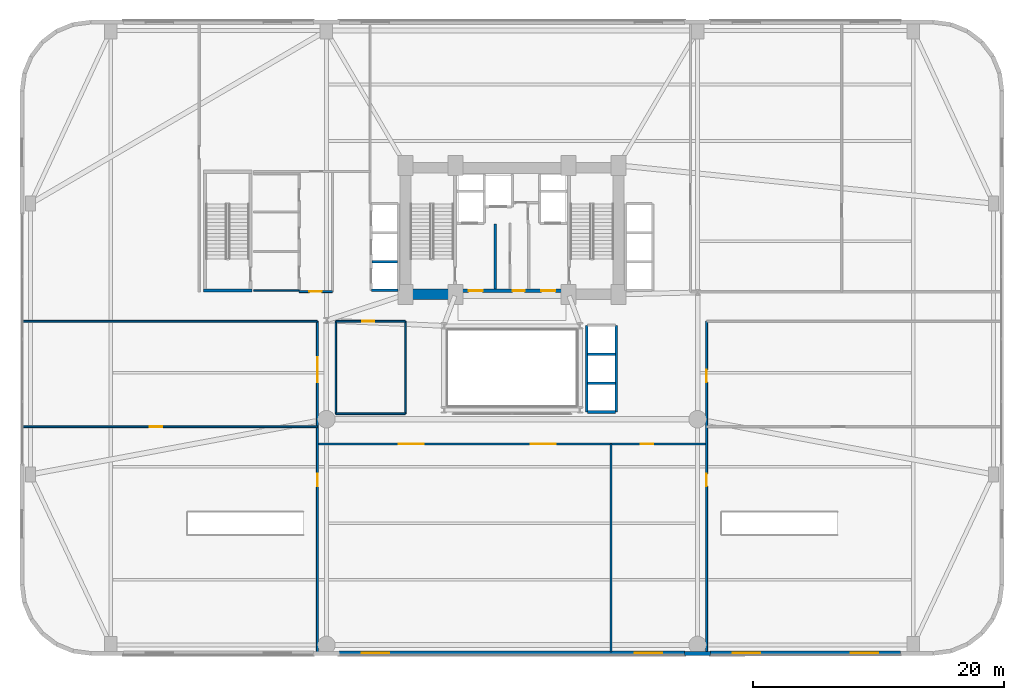
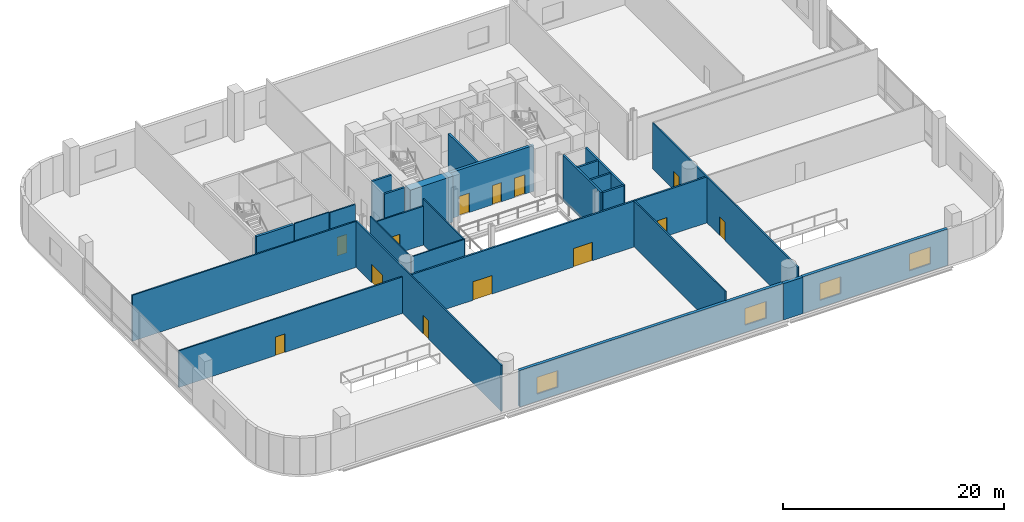
# One storey, part 22 of 31: 26 walls, 13 doors, 4 windows, 17 openings.
"""IFC4 building model written with IfcOpenShell, lengths in metres."""

import ifcopenshell
import ifcopenshell.guid

model = None  # the IFC model being written
_history = None  # IfcOwnerHistory: only IFC2X3 demands one
_inside = {}  # id of a spatial element -> (the spatial element, [elements in it])
_under = {}  # id of a project, library or spatial element -> (it, [spatial elements below it])
_declared = {}  # id of a project -> (the project, [libraries it declares])
_typed = {}  # id of a type object -> (the type object, [elements of that type])
_made_of = {}  # id of a material, layer set ... -> (it, [elements and type objects made of it])


def new_model(schema):
    """Start an empty IFC model of exactly this schema.

    Asked for "IFC4X3", IfcOpenShell would pick the latest addendum, in which some entities
    have other attributes; the version numbers below select the first issue.
    IFC2X3 requires an IfcOwnerHistory on every rooted entity: one is made here for all.
    """
    global model, _history
    if schema == "IFC4X3":
        model = ifcopenshell.file(schema_version=(4, 3, 0, 0))
    else:
        model = ifcopenshell.file(schema=schema)
    _inside.clear()
    _under.clear()
    _declared.clear()
    _typed.clear()
    _made_of.clear()
    _history = None
    if model.schema == "IFC2X3":
        org = make("IfcOrganization", Name="unknown")
        user = make(
            "IfcPersonAndOrganization",
            ThePerson=make("IfcPerson", FamilyName="unknown"),
            TheOrganization=org,
        )
        app = make(
            "IfcApplication",
            ApplicationDeveloper=org,
            Version="unknown",
            ApplicationFullName="unknown",
            ApplicationIdentifier="unknown",
        )
        _history = make(
            "IfcOwnerHistory",
            OwningUser=user,
            OwningApplication=app,
            ChangeAction="ADDED",
            CreationDate=0,
        )
    return model


def make(cls, **values):
    """One entity of the class cls with the attributes given. An attribute that is None is left unset."""
    return model.create_entity(
        cls, **{name: value for name, value in values.items() if value is not None}
    )


def rooted(cls, **values):
    """An entity with a GlobalId (a new one), such as an element, a storey or a relation."""
    return make(cls, GlobalId=ifcopenshell.guid.new(), OwnerHistory=_history, **values)


def si_unit(unit_type, name, prefix=None):
    """IfcSIUnit, for example si_unit("LENGTHUNIT", "METRE", prefix="MILLI")."""
    return make("IfcSIUnit", UnitType=unit_type, Prefix=prefix, Name=name)


def assignment(units):
    """IfcUnitAssignment: the units of a project."""
    return None if units is None else make("IfcUnitAssignment", Units=units)


def point(xyz):
    """IfcCartesianPoint."""
    return None if xyz is None else make("IfcCartesianPoint", Coordinates=xyz)


def direction(xyz):
    """IfcDirection."""
    return None if xyz is None else make("IfcDirection", DirectionRatios=xyz)


def frame(location, z_axis=None, x_axis=None):
    """IfcAxis2Placement3D, a coordinate frame: its origin and axes. An axis left out is left unset."""
    return make(
        "IfcAxis2Placement3D",
        Location=point(location),
        Axis=direction(z_axis),
        RefDirection=direction(x_axis),
    )


def frame_2d(location, x_axis=None):
    """IfcAxis2Placement2D, a coordinate frame in the plane: its origin and x axis."""
    return make(
        "IfcAxis2Placement2D", Location=point(location), RefDirection=direction(x_axis)
    )


def origin():
    """The frame at (0, 0, 0) with its axes left unset."""
    return frame((0.0, 0.0, 0.0))


def place(relative_to, where):
    """IfcLocalPlacement: puts the frame where relative to a parent placement (None: the world)."""
    return make(
        "IfcLocalPlacement", PlacementRelTo=relative_to, RelativePlacement=where
    )


def context(
    kind, dimensions, precision=None, world=None, true_north=None, identifier=None
):
    """IfcGeometricRepresentationContext, for example the 3D "Model" context."""
    return make(
        "IfcGeometricRepresentationContext",
        ContextIdentifier=identifier,
        ContextType=kind,
        CoordinateSpaceDimension=dimensions,
        Precision=precision,
        WorldCoordinateSystem=world,
        TrueNorth=true_north,
    )


def subcontext(parent, identifier, kind, view, scale=None):
    """IfcGeometricRepresentationSubContext, for example "Body" below "Model"."""
    return make(
        "IfcGeometricRepresentationSubContext",
        ContextIdentifier=identifier,
        ContextType=kind,
        ParentContext=parent,
        TargetScale=scale,
        TargetView=view,
    )


def project(units=None, contexts=None):
    """IfcProject with its units and contexts."""
    return rooted(
        "IfcProject",
        Name="project",
        RepresentationContexts=contexts,
        UnitsInContext=assignment(units),
    )


def spatial(cls, under=None, at=None, **own):
    """A site, building, storey or space (cls), placed at a placement, below another one or the project."""
    s = rooted(cls, ObjectPlacement=at, **own)
    if under is not None:
        _under.setdefault(under.id(), (under, []))[1].append(s)
    return s


def profile(cls, at=None, kind="AREA", **sizes):
    """A parametric profile (cls). Its sizes go by their IFC names, for example OverallWidth=200.0."""
    return make(cls, ProfileType=kind, Position=at, **sizes)


def rectangle(**sizes):
    """IfcRectangleProfileDef."""
    return profile("IfcRectangleProfileDef", **sizes)


def extrude(swept, where, along, depth):
    """IfcExtrudedAreaSolid: the profile swept, set in the frame where, extruded along a direction by depth."""
    return make(
        "IfcExtrudedAreaSolid",
        SweptArea=swept,
        Position=where,
        ExtrudedDirection=direction(along),
        Depth=depth,
    )


def shape(context_of_items, identifier, shape_type, items):
    """IfcShapeRepresentation: the items that make up one representation, for example the "Body"."""
    return make(
        "IfcShapeRepresentation",
        ContextOfItems=context_of_items,
        RepresentationIdentifier=identifier,
        RepresentationType=shape_type,
        Items=items,
    )


def material(Name=None, Category=None):
    """IfcMaterial."""
    return make("IfcMaterial", Name=Name, Category=Category)


def layer(
    of_material, thickness, ventilated=None, Name=None, Category=None, Priority=None
):
    """IfcMaterialLayer: one layer of a wall or slab, of a material (None: an air gap)."""
    return make(
        "IfcMaterialLayer",
        Material=of_material,
        LayerThickness=thickness,
        IsVentilated=ventilated,
        Name=Name,
        Category=Category,
        Priority=Priority,
    )


def layer_set(layers, Name=None):
    """IfcMaterialLayerSet."""
    return make("IfcMaterialLayerSet", MaterialLayers=layers, LayerSetName=Name)


def made_of(thing, what):
    """Note that an element or type object is made of a material, layer set ...; save() writes the relation."""
    if what is not None:
        _made_of.setdefault(what.id(), (what, []))[1].append(thing)
    return thing


def type_object(cls, material=None, **own):
    """A type object (cls), such as IfcWallType, which elements share."""
    return made_of(rooted(cls, **own), material)


def element(
    cls,
    number,
    at=None,
    inside=None,
    cuts=None,
    type_object=None,
    material=None,
    context=None,
    identifier="Body",
    shape_type=None,
    held_by="IfcProductDefinitionShape",
    body=None,
    shapes=None,
    **own,
):
    """One element of the class cls, such as IfcWall. Its Tag is "e" and its number.

    at: its placement. inside: the storey or other place that contains it. cuts: it is an
    opening in that element (IfcRelVoidsElement). A single representation is given by context,
    identifier, shape_type and body (its items); several are given by shapes. held_by: the class
    of the entity that holds the representations. save() writes the other relations.
    """
    e = rooted(cls, Tag="e%d" % number, ObjectPlacement=at, **own)
    if body is not None:
        shapes = [shape(context, identifier, shape_type, body)]
    if shapes is not None:
        e.Representation = make(held_by, Representations=shapes)
    if inside is not None:
        _inside.setdefault(inside.id(), (inside, []))[1].append(e)
    if cuts is not None:
        rooted(
            "IfcRelVoidsElement", RelatingBuildingElement=cuts, RelatedOpeningElement=e
        )
    if type_object is not None:
        _typed.setdefault(type_object.id(), (type_object, []))[1].append(e)
    return made_of(e, material)


def fill(opening, filler):
    """IfcRelFillsElement: the door or window that sits in an opening."""
    return rooted(
        "IfcRelFillsElement",
        RelatingOpeningElement=opening,
        RelatedBuildingElement=filler,
    )


def aggregate(whole, parts):
    """IfcRelAggregates: a whole, such as a stair, and the parts it consists of."""
    return rooted("IfcRelAggregates", RelatingObject=whole, RelatedObjects=parts)


def save(model, path):
    """Write the relations noted so far, then the file.

    IfcRelAggregates (storeys below a building ...), IfcRelContainedInSpatialStructure (elements
    in a storey), IfcRelDefinesByType, IfcRelAssociatesMaterial and IfcRelDeclares: one each for
    every whole, place, type object, material and project.
    """
    for whole, parts in _under.values():
        aggregate(whole, parts)
    for where, things in _inside.values():
        rooted(
            "IfcRelContainedInSpatialStructure",
            RelatedElements=things,
            RelatingStructure=where,
        )
    for kind, things in _typed.values():
        rooted("IfcRelDefinesByType", RelatedObjects=things, RelatingType=kind)
    for what, things in _made_of.values():
        rooted("IfcRelAssociatesMaterial", RelatedObjects=things, RelatingMaterial=what)
    for by, libraries in _declared.values():
        rooted("IfcRelDeclares", RelatingContext=by, RelatedDefinitions=libraries)
    model.write(path)


model = new_model("IFC4")

# Units and contexts
model_context = context("Model", 3, precision=1e-05, world=origin(), true_north=direction((0.0, 1.0)))
body_context = subcontext(model_context, "Body", "Model", "MODEL_VIEW")
ifc_project = project(units=[si_unit("LENGTHUNIT", "METRE"), si_unit("AREAUNIT", "SQUARE_METRE"), si_unit("VOLUMEUNIT", "CUBIC_METRE"), si_unit("PLANEANGLEUNIT", "RADIAN"), si_unit("MASSUNIT", "GRAM", prefix="KILO")], contexts=[model_context])

# Site, building, storey
site_placement = place(None, origin())
site = spatial("IfcSite", under=ifc_project, at=site_placement, CompositionType="ELEMENT")
building_placement = place(site_placement, origin())
building = spatial("IfcBuilding", under=site, at=building_placement, Name="Varnelok Gate Tower", CompositionType="ELEMENT")
storey_placement = place(building_placement, frame((0.0, 0.0, 16.199951171875)))
storey = spatial("IfcBuildingStorey", under=building, at=storey_placement, Name="L03", CompositionType="ELEMENT", Elevation=16.199951171875)

# Wall, openings, windows
ifc_material_1 = material(Name="Concrete C45/55", Category="concrete")
ifc_layer_1 = layer(ifc_material_1, 0.320068359375)
ifc_layer_set_1 = layer_set([ifc_layer_1], Name="Concrete C45/55")
wall_type_1 = type_object("IfcWallType", Name="EW-POD-320", PredefinedType="SOLIDWALL", material=ifc_layer_set_1)
wall_1_placement = place(storey_placement, frame((53.0, 0.159912109375, 0.0), z_axis=(0.0, 0.0, 1.0), x_axis=(-1.0, 0.0, 0.0)))
wall_1 = element("IfcWall", 1, at=wall_1_placement, inside=storey, type_object=wall_type_1, Name="L03 South Podium Arch Facade Wall 2", PredefinedType="SOLIDWALL", context=body_context, shape_type="SweptSolid", body=[
    extrude(rectangle(XDim=27.60009765625, YDim=0.320068359375, at=frame_2d((13.800048828125, 0.0))), origin(), (0.0, 0.0, 1.0), 4.030029296875),
])
opening_1_placement = place(wall_1_placement, frame((1.800048828125, 0.0, 0.800048828125)))
opening_1 = element("IfcOpeningElement", 2, at=opening_1_placement, cuts=wall_1, Name="Opening WN2", PredefinedType="OPENING", context=body_context, shape_type="SweptSolid", body=[
    extrude(rectangle(XDim=2.199951171875, YDim=1.85009765625, at=frame_2d((1.10009765625, 0.925048828125))), frame((0.0, 0.169921875, 0.0), z_axis=(0.0, -1.0, 0.0), x_axis=(1.0, 0.0, 0.0)), (0.0, 0.0, 1.0), 0.340087890625),
])
opening_2_placement = place(wall_1_placement, frame((23.60009765625, 0.0, 0.800048828125)))
opening_2 = element("IfcOpeningElement", 3, at=opening_2_placement, cuts=wall_1, Name="Opening WN2", PredefinedType="OPENING", context=body_context, shape_type="SweptSolid", body=[
    extrude(rectangle(XDim=2.199951171875, YDim=1.85009765625, at=frame_2d((1.10009765625, 0.925048828125))), frame((0.0, 0.169921875, 0.0), z_axis=(0.0, -1.0, 0.0), x_axis=(1.0, 0.0, 0.0)), (0.0, 0.0, 1.0), 0.340087890625),
])
ifc_material_2 = material(Name="Low-E Laminated Double Glazing IGU", Category="glass")
window_type = type_object("IfcWindowType", Name="WN-POD-2200", PartitioningType="SINGLE_PANEL", PredefinedType="WINDOW", material=ifc_material_2)
window_1_placement = place(opening_1_placement, origin())
window_1 = element("IfcWindow", 4, at=window_1_placement, inside=storey, type_object=window_type, Name="L03 Podium Arch Facade Window S2.1", OverallHeight=1.85009765625, OverallWidth=2.199951171875, PartitioningType="SINGLE_PANEL", PredefinedType="WINDOW", context=body_context, shape_type="SweptSolid", body=[
    extrude(rectangle(XDim=2.199951171875, YDim=1.85009765625, at=frame_2d((1.10009765625, 0.925048828125))), frame((0.0, 0.030029296875, 0.0), z_axis=(0.0, -1.0, 0.0), x_axis=(1.0, 0.0, 0.0)), (0.0, 0.0, 1.0), 0.06005859375),
])
fill(opening_1, window_1)
window_2_placement = place(opening_2_placement, origin())
window_2 = element("IfcWindow", 5, at=window_2_placement, inside=storey, type_object=window_type, Name="L03 Podium Arch Facade Window S2.2", OverallHeight=1.85009765625, OverallWidth=2.199951171875, PartitioningType="SINGLE_PANEL", PredefinedType="WINDOW", context=body_context, shape_type="SweptSolid", body=[
    extrude(rectangle(XDim=2.199951171875, YDim=1.85009765625, at=frame_2d((1.10009765625, 0.925048828125))), frame((0.0, 0.030029296875, 0.0), z_axis=(0.0, -1.0, 0.0), x_axis=(1.0, 0.0, 0.0)), (0.0, 0.0, 1.0), 0.06005859375),
])
fill(opening_2, window_2)

wall_2_placement = place(storey_placement, frame((70.199951171875, 0.159912109375, 0.0), z_axis=(0.0, 0.0, 1.0), x_axis=(-1.0, 0.0, 0.0)))
wall_2 = element("IfcWall", 6, at=wall_2_placement, inside=storey, type_object=wall_type_1, Name="L03 South Podium Arch Facade Wall 3", PredefinedType="SOLIDWALL", context=body_context, shape_type="SweptSolid", body=[
    extrude(rectangle(XDim=15.199951171875, YDim=0.320068359375, at=frame_2d((7.60009765625, 0.0))), origin(), (0.0, 0.0, 1.0), 4.030029296875),
])
opening_3_placement = place(wall_2_placement, frame((1.800048828125, 0.0, 0.800048828125)))
opening_3 = element("IfcOpeningElement", 7, at=opening_3_placement, cuts=wall_2, Name="Opening WN2", PredefinedType="OPENING", context=body_context, shape_type="SweptSolid", body=[
    extrude(rectangle(XDim=2.199951171875, YDim=1.85009765625, at=frame_2d((1.10009765625, 0.925048828125))), frame((0.0, 0.169921875, 0.0), z_axis=(0.0, -1.0, 0.0), x_axis=(1.0, 0.0, 0.0)), (0.0, 0.0, 1.0), 0.340087890625),
])
opening_4_placement = place(wall_2_placement, frame((11.199951171875, 0.0, 0.800048828125)))
opening_4 = element("IfcOpeningElement", 8, at=opening_4_placement, cuts=wall_2, Name="Opening WN2", PredefinedType="OPENING", context=body_context, shape_type="SweptSolid", body=[
    extrude(rectangle(XDim=2.199951171875, YDim=1.85009765625, at=frame_2d((1.10009765625, 0.925048828125))), frame((0.0, 0.169921875, 0.0), z_axis=(0.0, -1.0, 0.0), x_axis=(1.0, 0.0, 0.0)), (0.0, 0.0, 1.0), 0.340087890625),
])
window_3_placement = place(opening_3_placement, origin())
window_3 = element("IfcWindow", 9, at=window_3_placement, inside=storey, type_object=window_type, Name="L03 Podium Arch Facade Window S3.1", OverallHeight=1.85009765625, OverallWidth=2.199951171875, PartitioningType="SINGLE_PANEL", PredefinedType="WINDOW", context=body_context, shape_type="SweptSolid", body=[
    extrude(rectangle(XDim=2.199951171875, YDim=1.85009765625, at=frame_2d((1.10009765625, 0.925048828125))), frame((0.0, 0.030029296875, 0.0), z_axis=(0.0, -1.0, 0.0), x_axis=(1.0, 0.0, 0.0)), (0.0, 0.0, 1.0), 0.06005859375),
])
fill(opening_3, window_3)
window_4_placement = place(opening_4_placement, origin())
window_4 = element("IfcWindow", 10, at=window_4_placement, inside=storey, type_object=window_type, Name="L03 Podium Arch Facade Window S3.2", OverallHeight=1.85009765625, OverallWidth=2.199951171875, PartitioningType="SINGLE_PANEL", PredefinedType="WINDOW", context=body_context, shape_type="SweptSolid", body=[
    extrude(rectangle(XDim=2.199951171875, YDim=1.85009765625, at=frame_2d((1.10009765625, 0.925048828125))), frame((0.0, 0.030029296875, 0.0), z_axis=(0.0, -1.0, 0.0), x_axis=(1.0, 0.0, 0.0)), (0.0, 0.0, 1.0), 0.06005859375),
])
fill(opening_4, window_4)

# Wall
wall_3_placement = place(storey_placement, frame((52.969970703125, 0.1201171875, 0.0), z_axis=(0.0, 0.0, 1.0), x_axis=(1.0, 0.0, 0.0)))
element("IfcWall", 11, at=wall_3_placement, inside=storey, type_object=wall_type_1, Name="L03 Perimeter Facade Closure Wall 9", PredefinedType="SOLIDWALL", context=body_context, shape_type="SweptSolid", body=[
    extrude(rectangle(XDim=2.06005859375, YDim=0.320068359375, at=frame_2d((1.030029296875, 0.0))), origin(), (0.0, 0.0, 1.0), 4.030029296875),
])

# Wall, openings, doors
ifc_material_3 = material(Name="Gypsum Plasterboard Acoustic Partition", Category="gypsum")
ifc_layer_2 = layer(ifc_material_3, 0.179931640625)
ifc_layer_set_2 = layer_set([ifc_layer_2], Name="Gypsum Plasterboard Acoustic Partition")
wall_type_2 = type_object("IfcWallType", Name="PW-CORR-180", PredefinedType="PARTITIONING", material=ifc_layer_set_2)
wall_4_placement = place(storey_placement, frame((23.679931640625, 16.820068359375, 0.0), z_axis=(0.0, 0.0, 1.0), x_axis=(1.0, 0.0, 0.0)))
wall_4 = element("IfcWall", 12, at=wall_4_placement, inside=storey, type_object=wall_type_2, Name="Interior Partition", PredefinedType="PARTITIONING", context=body_context, shape_type="SweptSolid", body=[
    extrude(rectangle(XDim=31.0400390625, YDim=0.179931640625, at=frame_2d((15.52001953125, 0.0))), origin(), (0.0, 0.0, 1.0), 5.080078125),
])
opening_5_placement = place(wall_4_placement, frame((6.5, 0.0, 0.0)))
opening_5 = element("IfcOpeningElement", 13, at=opening_5_placement, cuts=wall_4, Name="Opening D-BL", PredefinedType="OPENING", context=body_context, shape_type="SweptSolid", body=[
    extrude(rectangle(XDim=2.0, YDim=2.050048828125, at=frame_2d((1.0, 1.02490234375))), frame((0.0, 0.099853515625, 0.0), z_axis=(0.0, -1.0, 0.0), x_axis=(1.0, 0.0, 0.0)), (0.0, 0.0, 1.0), 0.199951171875),
])
opening_6_placement = place(wall_4_placement, frame((17.0, 0.0, 0.0)))
opening_6 = element("IfcOpeningElement", 14, at=opening_6_placement, cuts=wall_4, Name="Opening D-BL", PredefinedType="OPENING", context=body_context, shape_type="SweptSolid", body=[
    extrude(rectangle(XDim=2.0, YDim=2.050048828125, at=frame_2d((1.0, 1.02490234375))), frame((0.0, 0.099853515625, 0.0), z_axis=(0.0, -1.0, 0.0), x_axis=(1.0, 0.0, 0.0)), (0.0, 0.0, 1.0), 0.199951171875),
])
opening_7_placement = place(wall_4_placement, frame((25.800048828125, 0.0, 0.0)))
opening_7 = element("IfcOpeningElement", 15, at=opening_7_placement, cuts=wall_4, Name="Opening D-I1", PredefinedType="OPENING", context=body_context, shape_type="SweptSolid", body=[
    extrude(rectangle(XDim=1.0, YDim=2.050048828125, at=frame_2d((0.5, 1.02490234375))), frame((0.0, 0.099853515625, 0.0), z_axis=(0.0, -1.0, 0.0), x_axis=(1.0, 0.0, 0.0)), (0.0, 0.0, 1.0), 0.199951171875),
])
ifc_material_4 = material(Name="Engineered Hardwood Timber", Category="wood")
door_type_1 = type_object("IfcDoorType", Name="DR-BALL-2000", OperationType="DOUBLE_DOOR_SINGLE_SWING", PredefinedType="DOOR", material=ifc_material_4)
door_1_placement = place(opening_5_placement, origin())
door_1 = element("IfcDoor", 16, at=door_1_placement, inside=storey, type_object=door_type_1, Name="L03 Grand Ballroom West Pair", OperationType="DOUBLE_DOOR_SINGLE_SWING", OverallHeight=2.050048828125, OverallWidth=2.0, PredefinedType="DOOR", context=body_context, shape_type="SweptSolid", body=[
    extrude(rectangle(XDim=2.0, YDim=2.050048828125, at=frame_2d((1.0, 1.02490234375))), frame((0.0, 0.02490234375, 0.0), z_axis=(0.0, -1.0, 0.0), x_axis=(1.0, 0.0, 0.0)), (0.0, 0.0, 1.0), 0.050048828125),
])
fill(opening_5, door_1)
door_2_placement = place(opening_6_placement, origin())
door_2 = element("IfcDoor", 17, at=door_2_placement, inside=storey, type_object=door_type_1, Name="L03 Grand Ballroom East Pair", OperationType="DOUBLE_DOOR_SINGLE_SWING", OverallHeight=2.050048828125, OverallWidth=2.0, PredefinedType="DOOR", context=body_context, shape_type="SweptSolid", body=[
    extrude(rectangle(XDim=2.0, YDim=2.050048828125, at=frame_2d((1.0, 1.02490234375))), frame((0.0, 0.02490234375, 0.0), z_axis=(0.0, -1.0, 0.0), x_axis=(1.0, 0.0, 0.0)), (0.0, 0.0, 1.0), 0.050048828125),
])
fill(opening_6, door_2)
door_type_2 = type_object("IfcDoorType", Name="DR-INT-1000", OperationType="NOTDEFINED", PredefinedType="DOOR", material=ifc_material_4)
door_3_placement = place(opening_7_placement, origin())
door_3 = element("IfcDoor", 18, at=door_3_placement, inside=storey, type_object=door_type_2, Name="L03 Plenary Room Door", OperationType="SINGLE_SWING_LEFT", OverallHeight=2.050048828125, OverallWidth=1.0, PredefinedType="DOOR", context=body_context, shape_type="SweptSolid", body=[
    extrude(rectangle(XDim=1.0, YDim=2.050048828125, at=frame_2d((0.5, 1.02490234375))), frame((0.0, 0.02490234375, 0.0), z_axis=(0.0, -1.0, 0.0), x_axis=(1.0, 0.0, 0.0)), (0.0, 0.0, 1.0), 0.050048828125),
])
fill(opening_7, door_3)

# Walls
ifc_layer_3 = layer(ifc_material_3, 0.125)
ifc_layer_set_3 = layer_set([ifc_layer_3], Name="Gypsum Plasterboard Acoustic Partition")
wall_type_3 = type_object("IfcWallType", Name="PW-PART-125", PredefinedType="PARTITIONING", material=ifc_layer_set_3)
wall_5_placement = place(storey_placement, frame((18.60009765625, 29.080078125, 0.0), z_axis=(0.0, 0.0, 1.0), x_axis=(1.0, 0.0, 0.0)))
element("IfcWall", 19, at=wall_5_placement, inside=storey, type_object=wall_type_3, Name="Interior Partition", PredefinedType="PARTITIONING", context=body_context, shape_type="SweptSolid", body=[
    extrude(rectangle(XDim=3.619873046875, YDim=0.125, at=frame_2d((1.81005859375, 0.0))), origin(), (0.0, 0.0, 1.0), 5.080078125),
])
for number, where, z_axis, x_axis, name in (
    (20, (25.14990234375, 19.239990234375, 0.0), (0.0, 0.0, 1.0), (0.0, 1.0, 0.0), "Interior Partition"),
    (21, (30.699951171875, 19.239990234375, 0.0), (0.0, 0.0, 1.0), (0.0, 1.0, 0.0), "Interior Partition"),
):
    element("IfcWall", number, at=place(storey_placement, frame(where, z_axis=z_axis, x_axis=x_axis)), inside=storey, type_object=wall_type_3, Name=name, PredefinedType="PARTITIONING", context=body_context, shape_type="SweptSolid", body=[
        extrude(rectangle(XDim=7.380126953125, YDim=0.125, at=frame_2d((3.68994140625, 0.0))), origin(), (0.0, 0.0, 1.0), 5.080078125),
    ])
wall_6_placement = place(storey_placement, frame((25.14990234375, 19.239990234375, 0.0), z_axis=(0.0, 0.0, 1.0), x_axis=(1.0, 0.0, 0.0)))
element("IfcWall", 22, at=wall_6_placement, inside=storey, type_object=wall_type_3, Name="Interior Partition", PredefinedType="PARTITIONING", context=body_context, shape_type="SweptSolid", body=[
    extrude(rectangle(XDim=5.550048828125, YDim=0.125, at=frame_2d((2.77490234375, 0.0))), origin(), (0.0, 0.0, 1.0), 5.080078125),
])

# Wall, opening, door
ifc_layer_4 = layer(ifc_material_3, 0.14990234375)
ifc_layer_set_4 = layer_set([ifc_layer_4], Name="Gypsum Plasterboard Acoustic Partition")
wall_type_4 = type_object("IfcWallType", Name="PW-PART-150", PredefinedType="PARTITIONING", material=ifc_layer_set_4)
wall_7_placement = place(storey_placement, frame((22.219970703125, 28.97998046875, 0.0), z_axis=(0.0, 0.0, 1.0), x_axis=(1.0, 0.0, 0.0)))
wall_7 = element("IfcWall", 23, at=wall_7_placement, inside=storey, type_object=wall_type_4, Name="Interior Partition", PredefinedType="PARTITIONING", context=body_context, shape_type="SweptSolid", body=[
    extrude(rectangle(XDim=2.659912109375, YDim=0.14990234375, at=frame_2d((1.330078125, 0.0))), origin(), (0.0, 0.0, 1.0), 5.080078125),
])
opening_8_placement = place(wall_7_placement, frame((0.800048828125, 0.0, 0.0)))
opening_8 = element("IfcOpeningElement", 24, at=opening_8_placement, cuts=wall_7, Name="Opening D-I1", PredefinedType="OPENING", context=body_context, shape_type="SweptSolid", body=[
    extrude(rectangle(XDim=1.0, YDim=2.050048828125, at=frame_2d((0.5, 1.02490234375))), frame((0.0, 0.0849609375, 0.0), z_axis=(0.0, -1.0, 0.0), x_axis=(1.0, 0.0, 0.0)), (0.0, 0.0, 1.0), 0.169921875),
])
door_4_placement = place(opening_8_placement, origin())
door_4 = element("IfcDoor", 25, at=door_4_placement, inside=storey, type_object=door_type_2, Name="L03 Restroom Vestibule Door", OperationType="SINGLE_SWING_LEFT", OverallHeight=2.050048828125, OverallWidth=1.0, PredefinedType="DOOR", context=body_context, shape_type="SweptSolid", body=[
    extrude(rectangle(XDim=1.0, YDim=2.050048828125, at=frame_2d((0.5, 1.02490234375))), frame((0.0, 0.02490234375, 0.0), z_axis=(0.0, -1.0, 0.0), x_axis=(1.0, 0.0, 0.0)), (0.0, 0.0, 1.0), 0.050048828125),
])
fill(opening_8, door_4)

wall_8_placement = place(storey_placement, frame((0.199951171875, 18.199951171875, 0.0), z_axis=(0.0, 0.0, 1.0), x_axis=(1.0, 0.0, 0.0)))
wall_8 = element("IfcWall", 26, at=wall_8_placement, inside=storey, type_object=wall_type_4, Name="Interior Partition", PredefinedType="PARTITIONING", context=body_context, shape_type="SweptSolid", body=[
    extrude(rectangle(XDim=23.47998046875, YDim=0.14990234375, at=frame_2d((11.739990234375, 0.0))), origin(), (0.0, 0.0, 1.0), 4.045166015625),
])
opening_9_placement = place(wall_8_placement, frame((10.10009765625, 0.0, 0.0)))
opening_9 = element("IfcOpeningElement", 27, at=opening_9_placement, cuts=wall_8, Name="Opening D-I1", PredefinedType="OPENING", context=body_context, shape_type="SweptSolid", body=[
    extrude(rectangle(XDim=1.0, YDim=2.050048828125, at=frame_2d((0.5, 1.02490234375))), frame((0.0, 0.0849609375, 0.0), z_axis=(0.0, -1.0, 0.0), x_axis=(1.0, 0.0, 0.0)), (0.0, 0.0, 1.0), 0.169921875),
])
door_5_placement = place(opening_9_placement, origin())
door_5 = element("IfcDoor", 28, at=door_5_placement, inside=storey, type_object=door_type_2, Name="L03 West Wing Divider Door", OperationType="SINGLE_SWING_LEFT", OverallHeight=2.050048828125, OverallWidth=1.0, PredefinedType="DOOR", context=body_context, shape_type="SweptSolid", body=[
    extrude(rectangle(XDim=1.0, YDim=2.050048828125, at=frame_2d((0.5, 1.02490234375))), frame((0.0, 0.02490234375, 0.0), z_axis=(0.0, -1.0, 0.0), x_axis=(1.0, 0.0, 0.0)), (0.0, 0.0, 1.0), 0.050048828125),
])
fill(opening_9, door_5)

# Wall
wall_9_placement = place(storey_placement, frame((47.10009765625, 0.25, 0.0), z_axis=(0.0, 0.0, 1.0), x_axis=(0.0, 1.0, 0.0)))
element("IfcWall", 29, at=wall_9_placement, inside=storey, type_object=wall_type_4, Name="Interior Partition", PredefinedType="PARTITIONING", context=body_context, shape_type="SweptSolid", body=[
    extrude(rectangle(XDim=16.570068359375, YDim=0.14990234375, at=frame_2d((8.28515625, 0.0))), origin(), (0.0, 0.0, 1.0), 5.080078125),
])

# Wall, openings, doors
wall_10_placement = place(storey_placement, frame((23.679931640625, 0.25, 0.0), z_axis=(0.0, 0.0, 1.0), x_axis=(0.0, 1.0, 0.0)))
wall_10 = element("IfcWall", 30, at=wall_10_placement, inside=storey, type_object=wall_type_4, Name="Interior Partition", PredefinedType="PARTITIONING", context=body_context, shape_type="SweptSolid", body=[
    extrude(rectangle(XDim=26.3701171875, YDim=0.14990234375, at=frame_2d((13.18505859375, 0.0))), origin(), (0.0, 0.0, 1.0), 5.080078125),
])
opening_10_placement = place(wall_10_placement, frame((13.199951171875, 0.0, 0.0)))
opening_10 = element("IfcOpeningElement", 31, at=opening_10_placement, cuts=wall_10, Name="Opening D-I1", PredefinedType="OPENING", context=body_context, shape_type="SweptSolid", body=[
    extrude(rectangle(XDim=1.0, YDim=2.050048828125, at=frame_2d((0.5, 1.02490234375))), frame((0.0, 0.0849609375, 0.0), z_axis=(0.0, -1.0, 0.0), x_axis=(1.0, 0.0, 0.0)), (0.0, 0.0, 1.0), 0.169921875),
])
opening_11_placement = place(wall_10_placement, frame((21.5, 0.0, 0.0)))
opening_11 = element("IfcOpeningElement", 32, at=opening_11_placement, cuts=wall_10, Name="Opening D-BL", PredefinedType="OPENING", context=body_context, shape_type="SweptSolid", body=[
    extrude(rectangle(XDim=2.0, YDim=2.050048828125, at=frame_2d((1.0, 1.02490234375))), frame((0.0, 0.0849609375, 0.0), z_axis=(0.0, -1.0, 0.0), x_axis=(1.0, 0.0, 0.0)), (0.0, 0.0, 1.0), 0.169921875),
])
door_6_placement = place(opening_11_placement, origin())
door_6 = element("IfcDoor", 33, at=door_6_placement, inside=storey, type_object=door_type_1, Name="L03 Business Center Door", OperationType="DOUBLE_DOOR_SINGLE_SWING", OverallHeight=2.050048828125, OverallWidth=2.0, PredefinedType="DOOR", context=body_context, shape_type="SweptSolid", body=[
    extrude(rectangle(XDim=2.0, YDim=2.050048828125, at=frame_2d((1.0, 1.02490234375))), frame((0.0, 0.02490234375, 0.0), z_axis=(0.0, -1.0, 0.0), x_axis=(1.0, 0.0, 0.0)), (0.0, 0.0, 1.0), 0.050048828125),
])
fill(opening_11, door_6)
door_7_placement = place(opening_10_placement, origin())
door_7 = element("IfcDoor", 34, at=door_7_placement, inside=storey, type_object=door_type_2, Name="L03 Exhibition Gallery Door", OperationType="SINGLE_SWING_LEFT", OverallHeight=2.050048828125, OverallWidth=1.0, PredefinedType="DOOR", context=body_context, shape_type="SweptSolid", body=[
    extrude(rectangle(XDim=1.0, YDim=2.050048828125, at=frame_2d((0.5, 1.02490234375))), frame((0.0, 0.02490234375, 0.0), z_axis=(0.0, -1.0, 0.0), x_axis=(1.0, 0.0, 0.0)), (0.0, 0.0, 1.0), 0.050048828125),
])
fill(opening_10, door_7)

wall_11_placement = place(storey_placement, frame((54.719970703125, 0.25, 0.0), z_axis=(0.0, 0.0, 1.0), x_axis=(0.0, 1.0, 0.0)))
wall_11 = element("IfcWall", 35, at=wall_11_placement, inside=storey, type_object=wall_type_4, Name="Interior Partition", PredefinedType="PARTITIONING", context=body_context, shape_type="SweptSolid", body=[
    extrude(rectangle(XDim=26.3701171875, YDim=0.14990234375, at=frame_2d((13.18505859375, 0.0))), origin(), (0.0, 0.0, 1.0), 5.080078125),
])
opening_12_placement = place(wall_11_placement, frame((13.199951171875, 0.0, 0.0)))
opening_12 = element("IfcOpeningElement", 36, at=opening_12_placement, cuts=wall_11, Name="Opening D-I1", PredefinedType="OPENING", context=body_context, shape_type="SweptSolid", body=[
    extrude(rectangle(XDim=1.0, YDim=2.050048828125, at=frame_2d((0.5, 1.02490234375))), frame((0.0, 0.0849609375, 0.0), z_axis=(0.0, -1.0, 0.0), x_axis=(1.0, 0.0, 0.0)), (0.0, 0.0, 1.0), 0.169921875),
])
opening_13_placement = place(wall_11_placement, frame((21.5, 0.0, 0.0)))
opening_13 = element("IfcOpeningElement", 37, at=opening_13_placement, cuts=wall_11, Name="Opening D-I1", PredefinedType="OPENING", context=body_context, shape_type="SweptSolid", body=[
    extrude(rectangle(XDim=1.0, YDim=2.050048828125, at=frame_2d((0.5, 1.02490234375))), frame((0.0, 0.0849609375, 0.0), z_axis=(0.0, -1.0, 0.0), x_axis=(1.0, 0.0, 0.0)), (0.0, 0.0, 1.0), 0.169921875),
])
door_8_placement = place(opening_12_placement, origin())
door_8 = element("IfcDoor", 38, at=door_8_placement, inside=storey, type_object=door_type_2, Name="L03 VIP Suite Corridor Door", OperationType="SINGLE_SWING_RIGHT", OverallHeight=2.050048828125, OverallWidth=1.0, PredefinedType="DOOR", context=body_context, shape_type="SweptSolid", body=[
    extrude(rectangle(XDim=1.0, YDim=2.050048828125, at=frame_2d((0.5, 1.02490234375))), frame((0.0, 0.02490234375, 0.0), z_axis=(0.0, -1.0, 0.0), x_axis=(1.0, 0.0, 0.0)), (0.0, 0.0, 1.0), 0.050048828125),
])
fill(opening_12, door_8)
door_9_placement = place(opening_13_placement, origin())
door_9 = element("IfcDoor", 39, at=door_9_placement, inside=storey, type_object=door_type_2, Name="L03 Sky Library Door", OperationType="SINGLE_SWING_LEFT", OverallHeight=2.050048828125, OverallWidth=1.0, PredefinedType="DOOR", context=body_context, shape_type="SweptSolid", body=[
    extrude(rectangle(XDim=1.0, YDim=2.050048828125, at=frame_2d((0.5, 1.02490234375))), frame((0.0, 0.02490234375, 0.0), z_axis=(0.0, -1.0, 0.0), x_axis=(1.0, 0.0, 0.0)), (0.0, 0.0, 1.0), 0.050048828125),
])
fill(opening_13, door_9)

# Wall
wall_12_placement = place(storey_placement, frame((0.199951171875, 26.6201171875, 0.0), z_axis=(0.0, 0.0, 1.0), x_axis=(1.0, 0.0, 0.0)))
element("IfcWall", 40, at=wall_12_placement, inside=storey, type_object=wall_type_4, Name="Interior Partition", PredefinedType="PARTITIONING", context=body_context, shape_type="SweptSolid", body=[
    extrude(rectangle(XDim=23.47998046875, YDim=0.14990234375, at=frame_2d((11.739990234375, 0.0))), origin(), (0.0, 0.0, 1.0), 5.080078125),
])

# Wall, opening, door
wall_13_placement = place(storey_placement, frame((25.14990234375, 26.6201171875, 0.0), z_axis=(0.0, 0.0, 1.0), x_axis=(1.0, 0.0, 0.0)))
wall_13 = element("IfcWall", 41, at=wall_13_placement, inside=storey, type_object=wall_type_4, Name="Interior Partition", PredefinedType="PARTITIONING", context=body_context, shape_type="SweptSolid", body=[
    extrude(rectangle(XDim=5.550048828125, YDim=0.14990234375, at=frame_2d((2.77490234375, 0.0))), origin(), (0.0, 0.0, 1.0), 4.2919921875),
])
opening_14_placement = place(wall_13_placement, frame((2.10009765625, 0.0, 0.0)))
opening_14 = element("IfcOpeningElement", 42, at=opening_14_placement, cuts=wall_13, Name="Opening D-I2", PredefinedType="OPENING", context=body_context, shape_type="SweptSolid", body=[
    extrude(rectangle(XDim=0.949951171875, YDim=2.050048828125, at=frame_2d((0.47509765625, 1.02490234375))), frame((0.0, 0.0849609375, 0.0), z_axis=(0.0, -1.0, 0.0), x_axis=(1.0, 0.0, 0.0)), (0.0, 0.0, 1.0), 0.169921875),
])
door_type_3 = type_object("IfcDoorType", Name="DR-INT-950", OperationType="NOTDEFINED", PredefinedType="DOOR", material=ifc_material_4)
door_10_placement = place(opening_14_placement, origin())
door_10 = element("IfcDoor", 43, at=door_10_placement, inside=storey, type_object=door_type_3, Name="L03 Wellness Lounge Door", OperationType="SINGLE_SWING_LEFT", OverallHeight=2.050048828125, OverallWidth=0.949951171875, PredefinedType="DOOR", context=body_context, shape_type="SweptSolid", body=[
    extrude(rectangle(XDim=0.949951171875, YDim=2.050048828125, at=frame_2d((0.47509765625, 1.02490234375))), frame((0.0, 0.02490234375, 0.0), z_axis=(0.0, -1.0, 0.0), x_axis=(1.0, 0.0, 0.0)), (0.0, 0.0, 1.0), 0.050048828125),
])
fill(opening_14, door_10)

# Walls
ifc_material_5 = material(Name="Concrete C35/45", Category="concrete")
ifc_layer_5 = layer(ifc_material_5, 0.199951171875)
ifc_layer_set_5 = layer_set([ifc_layer_5], Name="Concrete C35/45")
wall_type_5 = type_object("IfcWallType", Name="PW-SHAFT-200", PredefinedType="PARTITIONING", material=ifc_layer_set_5)
wall_14_placement = place(storey_placement, frame((37.860107421875, 29.199951171875, 0.0), z_axis=(0.0, 0.0, 1.0), x_axis=(0.0, 1.0, 0.0)))
element("IfcWall", 44, at=wall_14_placement, inside=storey, type_object=wall_type_5, Name="L03 West FF Lobby Rated Wall", PredefinedType="PARTITIONING", context=body_context, shape_type="SweptSolid", body=[
    extrude(rectangle(XDim=5.179931640625, YDim=0.199951171875, at=frame_2d((2.58984375, 0.0))), origin(), (0.0, 0.0, 1.0), 5.080078125),
])
wall_15_placement = place(storey_placement, frame((28.02001953125, 31.375, 0.0), z_axis=(0.0, 0.0, 1.0), x_axis=(1.0, 0.0, 0.0)))
element("IfcWall", 45, at=wall_15_placement, inside=storey, type_object=wall_type_5, Name="L03 PL1 Divider", PredefinedType="PARTITIONING", context=body_context, shape_type="SweptSolid", body=[
    extrude(rectangle(XDim=2.06005859375, YDim=0.199951171875, at=frame_2d((1.030029296875, 0.0))), origin(), (0.0, 0.0, 1.0), 5.080078125),
])
wall_16_placement = place(storey_placement, frame((28.0, 29.080078125, 0.0), z_axis=(0.0, 0.0, 1.0), x_axis=(1.0, 0.0, 0.0)))
element("IfcWall", 46, at=wall_16_placement, inside=storey, type_object=wall_type_5, Name="L03 PL Bank South Wall", PredefinedType="PARTITIONING", context=body_context, shape_type="SweptSolid", body=[
    extrude(rectangle(XDim=2.10009765625, YDim=0.199951171875, at=frame_2d((1.050048828125, 0.0))), origin(), (0.0, 0.0, 1.0), 5.080078125),
])
for number, where, z_axis, x_axis, name in (
    (47, (45.239990234375, 21.675048828125, 0.0), (0.0, 0.0, 1.0), (1.0, 0.0, 0.0), "L03 PH1 Divider"),
    (48, (45.239990234375, 23.97509765625, 0.0), (0.0, 0.0, 1.0), (1.0, 0.0, 0.0), "L03 PH2 Divider"),
    (49, (45.239990234375, 19.3798828125, 0.0), (0.0, 0.0, 1.0), (1.0, 0.0, 0.0), "L03 PH Bank South Wall"),
):
    element("IfcWall", number, at=place(storey_placement, frame(where, z_axis=z_axis, x_axis=x_axis)), inside=storey, type_object=wall_type_5, Name=name, PredefinedType="PARTITIONING", context=body_context, shape_type="SweptSolid", body=[
        extrude(rectangle(XDim=2.219970703125, YDim=0.199951171875, at=frame_2d((1.10986328125, 0.0))), origin(), (0.0, 0.0, 1.0), 5.080078125),
    ])
for number, where, z_axis, x_axis, name in (
    (50, (45.179931640625, 19.3798828125, 0.0), (0.0, 0.0, 1.0), (0.0, 1.0, 0.0), "L03 PH Bank Atrium Wall"),
    (51, (47.52001953125, 19.3798828125, 0.0), (0.0, 0.0, 1.0), (0.0, 1.0, 0.0), "L03 PH Bank Front Wall"),
):
    element("IfcWall", number, at=place(storey_placement, frame(where, z_axis=z_axis, x_axis=x_axis)), inside=storey, type_object=wall_type_5, Name=name, PredefinedType="PARTITIONING", context=body_context, shape_type="SweptSolid", body=[
        extrude(rectangle(XDim=6.900146484375, YDim=0.199951171875, at=frame_2d((3.4501953125, 0.0))), origin(), (0.0, 0.0, 1.0), 5.080078125),
    ])
ifc_material_6 = material(Name="Concrete C70/85", Category="concrete")
ifc_layer_6 = layer(ifc_material_6, 0.85009765625)
ifc_layer_set_6 = layer_set([ifc_layer_6], Name="Concrete C70/85")
wall_type_6 = type_object("IfcWallType", Name="SW-CORE-850", PredefinedType="SHEAR", material=ifc_layer_set_6)
wall_17_placement = place(storey_placement, frame((30.280029296875, 28.77490234375, 0.0), z_axis=(0.0, 0.0, 1.0), x_axis=(1.0, 0.0, 0.0)))
element("IfcWall", 52, at=wall_17_placement, inside=storey, type_object=wall_type_6, Name="L03 Rear Core South-West Shear Wall", PredefinedType="SHEAR", context=body_context, shape_type="SweptSolid", body=[
    extrude(rectangle(XDim=4.52001953125, YDim=0.85009765625, at=frame_2d((2.260009765625, 0.0))), origin(), (0.0, 0.0, 1.0), 5.080078125),
])
ifc_material_7 = material(Name="Concrete C60/75", Category="concrete")
ifc_layer_7 = layer(ifc_material_7, 0.25)
ifc_layer_set_7 = layer_set([ifc_layer_7], Name="Concrete C60/75")
wall_type_7 = type_object("IfcWallType", Name="SW-SHAFT-250", PredefinedType="SHEAR", material=ifc_layer_set_7)
wall_18_placement = place(storey_placement, frame((14.580078125, 29.074951171875, 0.0), z_axis=(0.0, 0.0, 1.0), x_axis=(1.0, 0.0, 0.0)))
element("IfcWall", 53, at=wall_18_placement, inside=storey, type_object=wall_type_7, Name="L03 Stair ST-3 South Shear Wall", PredefinedType="SHEAR", context=body_context, shape_type="SweptSolid", body=[
    extrude(rectangle(XDim=3.889892578125, YDim=0.25, at=frame_2d((1.94482421875, 0.0))), origin(), (0.0, 0.0, 1.0), 5.080078125),
])

# Wall, openings, doors
ifc_layer_8 = layer(ifc_material_7, 0.300048828125)
ifc_layer_set_8 = layer_set([ifc_layer_8], Name="Concrete C60/75")
wall_type_8 = type_object("IfcWallType", Name="SW-SHAFT-300", PredefinedType="SHEAR", material=ifc_layer_set_8)
wall_19_placement = place(storey_placement, frame((34.800048828125, 29.050048828125, 0.0), z_axis=(0.0, 0.0, 1.0), x_axis=(1.0, 0.0, 0.0)))
wall_19 = element("IfcWall", 54, at=wall_19_placement, inside=storey, type_object=wall_type_8, Name="L03 Rear Core Central Lobby Shear Wall", PredefinedType="SHEAR", context=body_context, shape_type="SweptSolid", body=[
    extrude(rectangle(XDim=8.800048828125, YDim=0.300048828125, at=frame_2d((4.39990234375, 0.0))), origin(), (0.0, 0.0, 1.0), 5.080078125),
])
opening_15_placement = place(wall_19_placement, frame((0.949951171875, 0.0, 0.0)))
opening_15 = element("IfcOpeningElement", 55, at=opening_15_placement, cuts=wall_19, Name="Opening D-FF", PredefinedType="OPENING", context=body_context, shape_type="SweptSolid", body=[
    extrude(rectangle(XDim=1.10009765625, YDim=2.14990234375, at=frame_2d((0.550048828125, 1.074951171875))), frame((0.0, 0.159912109375, 0.0), z_axis=(0.0, -1.0, 0.0), x_axis=(1.0, 0.0, 0.0)), (0.0, 0.0, 1.0), 0.320068359375),
])
opening_16_placement = place(wall_19_placement, frame((6.75, 0.0, 0.0)))
opening_16 = element("IfcOpeningElement", 56, at=opening_16_placement, cuts=wall_19, Name="Opening D-FF", PredefinedType="OPENING", context=body_context, shape_type="SweptSolid", body=[
    extrude(rectangle(XDim=1.10009765625, YDim=2.14990234375, at=frame_2d((0.550048828125, 1.074951171875))), frame((0.0, 0.159912109375, 0.0), z_axis=(0.0, -1.0, 0.0), x_axis=(1.0, 0.0, 0.0)), (0.0, 0.0, 1.0), 0.320068359375),
])
opening_17_placement = place(wall_19_placement, frame((4.449951171875, 0.0, 0.0)))
opening_17 = element("IfcOpeningElement", 57, at=opening_17_placement, cuts=wall_19, Name="Opening D-CR", PredefinedType="OPENING", context=body_context, shape_type="SweptSolid", body=[
    extrude(rectangle(XDim=0.949951171875, YDim=2.14990234375, at=frame_2d((0.47509765625, 1.074951171875))), frame((0.0, 0.159912109375, 0.0), z_axis=(0.0, -1.0, 0.0), x_axis=(1.0, 0.0, 0.0)), (0.0, 0.0, 1.0), 0.320068359375),
])
ifc_material_8 = material(Name="Galvanized Steel Grade S350GD", Category="steel")
door_type_4 = type_object("IfcDoorType", Name="DR-CORR-950", OperationType="NOTDEFINED", PredefinedType="DOOR", material=ifc_material_8)
door_11_placement = place(opening_17_placement, origin())
door_11 = element("IfcDoor", 58, at=door_11_placement, inside=storey, type_object=door_type_4, Name="L03 Core Service Passage Door", OperationType="SINGLE_SWING_LEFT", OverallHeight=2.14990234375, OverallWidth=0.949951171875, PredefinedType="DOOR", context=body_context, shape_type="SweptSolid", body=[
    extrude(rectangle(XDim=0.949951171875, YDim=2.14990234375, at=frame_2d((0.47509765625, 1.074951171875))), frame((0.0, 0.02490234375, 0.0), z_axis=(0.0, -1.0, 0.0), x_axis=(1.0, 0.0, 0.0)), (0.0, 0.0, 1.0), 0.050048828125),
])
fill(opening_17, door_11)
door_type_5 = type_object("IfcDoorType", Name="DR-FFLOB-1100", OperationType="NOTDEFINED", PredefinedType="DOOR", material=ifc_material_8)
door_12_placement = place(opening_15_placement, origin())
door_12 = element("IfcDoor", 59, at=door_12_placement, inside=storey, type_object=door_type_5, Name="L03 West Firefighting Lobby Fire Door", OperationType="SINGLE_SWING_RIGHT", OverallHeight=2.14990234375, OverallWidth=1.10009765625, PredefinedType="DOOR", context=body_context, shape_type="SweptSolid", body=[
    extrude(rectangle(XDim=1.10009765625, YDim=2.14990234375, at=frame_2d((0.550048828125, 1.074951171875))), frame((0.0, 0.02490234375, 0.0), z_axis=(0.0, -1.0, 0.0), x_axis=(1.0, 0.0, 0.0)), (0.0, 0.0, 1.0), 0.050048828125),
])
fill(opening_15, door_12)
door_13_placement = place(opening_16_placement, origin())
door_13 = element("IfcDoor", 60, at=door_13_placement, inside=storey, type_object=door_type_5, Name="L03 East Firefighting Lobby Fire Door", OperationType="SINGLE_SWING_LEFT", OverallHeight=2.14990234375, OverallWidth=1.10009765625, PredefinedType="DOOR", context=body_context, shape_type="SweptSolid", body=[
    extrude(rectangle(XDim=1.10009765625, YDim=2.14990234375, at=frame_2d((0.550048828125, 1.074951171875))), frame((0.0, 0.02490234375, 0.0), z_axis=(0.0, -1.0, 0.0), x_axis=(1.0, 0.0, 0.0)), (0.0, 0.0, 1.0), 0.050048828125),
])
fill(opening_16, door_13)

save(model, "model.ifc")
